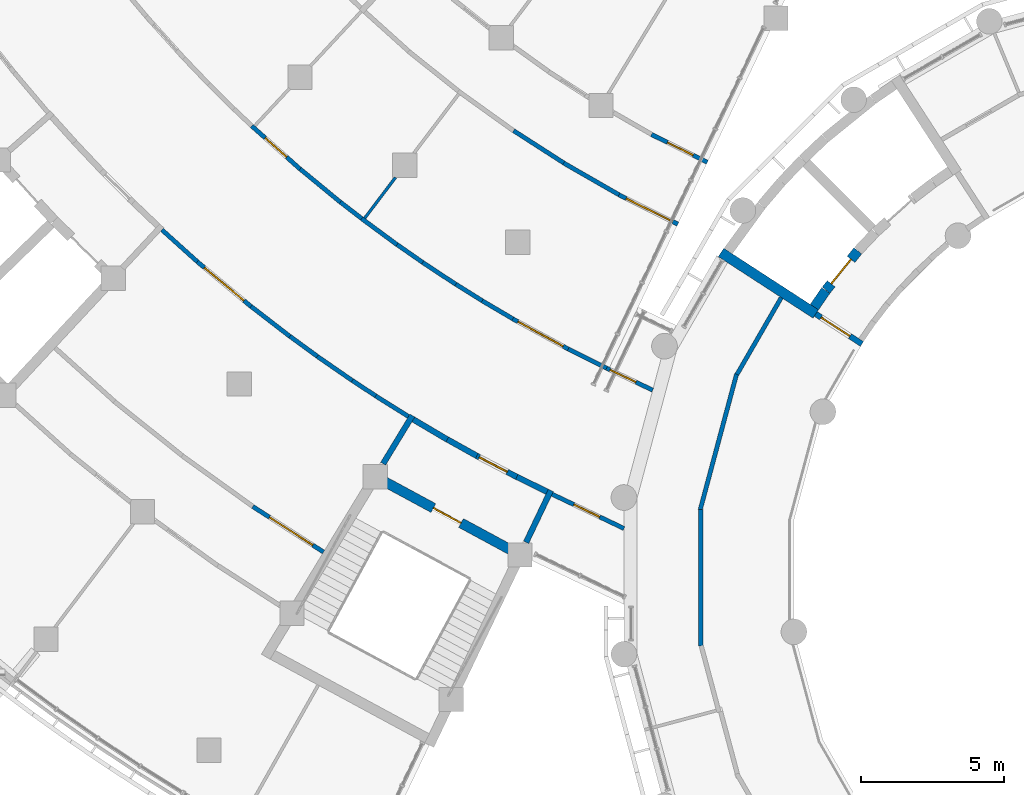
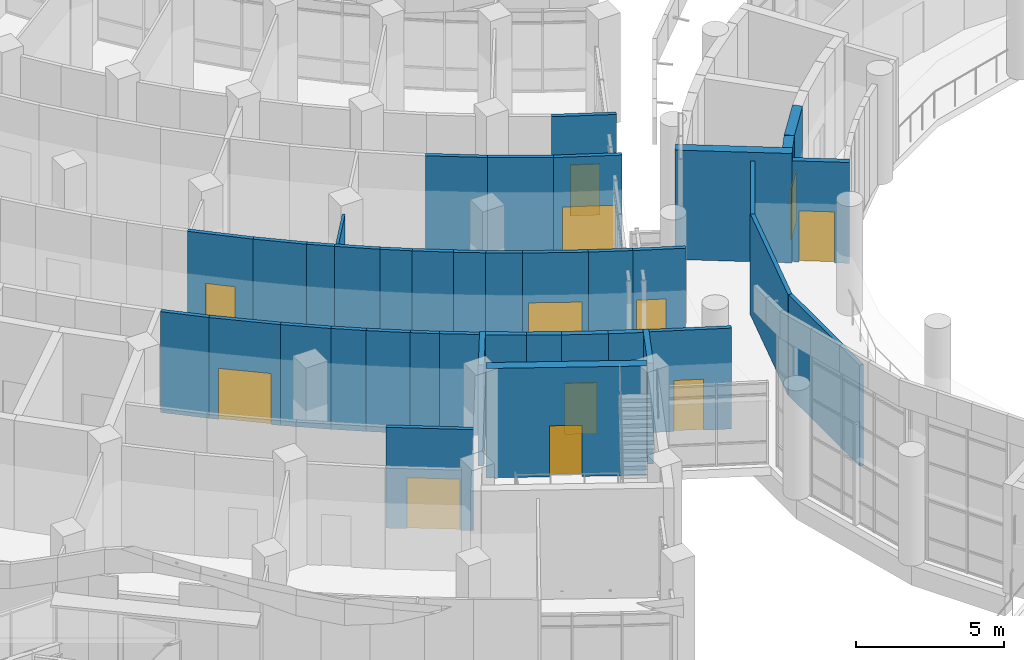
# One storey, part 62 of 136: 39 walls, 12 doors, 12 openings.
"""IFC4 building model written with IfcOpenShell, lengths in metres."""

from ifc_helpers import new_model, si_unit, direction, frame, frame_2d, origin, place, context, subcontext, project, spatial, rectangle, extrude, material, layer, layer_set, type_object, element, fill, save


model = new_model("IFC4")

# Units and contexts
model_context = context("Model", 3, precision=1e-05, world=origin(), true_north=direction((0.0, 1.0)))
body_context = subcontext(model_context, "Body", "Model", "MODEL_VIEW")
ifc_project = project(units=[si_unit("LENGTHUNIT", "METRE"), si_unit("AREAUNIT", "SQUARE_METRE"), si_unit("VOLUMEUNIT", "CUBIC_METRE"), si_unit("PLANEANGLEUNIT", "RADIAN"), si_unit("MASSUNIT", "GRAM", prefix="KILO")], contexts=[model_context])

# Site, building, storey
site_placement = place(None, origin())
site = spatial("IfcSite", under=ifc_project, at=site_placement, CompositionType="ELEMENT")
building_placement = place(site_placement, origin())
building = spatial("IfcBuilding", under=site, at=building_placement, Name="Bougainvillea Quay General Hospital", CompositionType="ELEMENT")
storey_placement = place(building_placement, frame((0.0, 0.0, 5.39990234375)))
storey = spatial("IfcBuildingStorey", under=building, at=storey_placement, Name="L01", CompositionType="ELEMENT", Elevation=5.39990234375)

# Walls
ifc_material_1 = material(Name="Gypsum board partition on steel studs", Category="steel")
ifc_layer_1 = layer(ifc_material_1, 0.10009765625)
ifc_layer_set_1 = layer_set([ifc_layer_1], Name="Gypsum board partition on steel studs")
wall_type_1 = type_object("IfcWallType", Name="Partition 100 Gypsum board partition EI 30", PredefinedType="PARTITIONING", material=ifc_layer_set_1)
wall_1_placement = place(storey_placement, frame((79.311767578125, 86.515380859375, 0.0), z_axis=(0.0, 0.0, 1.0), x_axis=(0.603588624137, 0.797295912954, 0.0)))
element("IfcWall", 1, at=wall_1_placement, inside=storey, type_object=wall_type_1, Name="Partition 100 mm EI 30", PredefinedType="PARTITIONING", context=body_context, shape_type="SweptSolid", body=[
    extrude(rectangle(XDim=1.7822265625, YDim=0.10009765625, at=frame_2d((0.89111328125, 0.0))), origin(), (0.0, 0.0, 1.0), 4.150146484375),
])
ifc_material_2 = material(Name="Gypsum board partition on steel studs, insulated", Category="steel")
ifc_layer_2 = layer(ifc_material_2, 0.14990234375)
ifc_layer_set_2 = layer_set([ifc_layer_2], Name="Gypsum board partition on steel studs, insulated")
wall_type_2 = type_object("IfcWallType", Name="Partition 150 Gypsum board partition EI 30", PredefinedType="PARTITIONING", material=ifc_layer_set_2)
wall_2_placement = place(storey_placement, frame((91.048583984375, 76.3125, 0.0), z_axis=(0.0, 0.0, 1.0), x_axis=(0.258927747961, 0.96589669289, 0.0)))
element("IfcWall", 2, at=wall_2_placement, inside=storey, type_object=wall_type_2, Name="Partition 150 mm EI 30", PredefinedType="PARTITIONING", context=body_context, shape_type="SweptSolid", body=[
    extrude(rectangle(XDim=4.923828125, YDim=0.14990234375, at=frame_2d((2.4619140625, 0.0))), origin(), (0.0, 0.0, 1.0), 4.150146484375),
])
wall_3_placement = place(storey_placement, frame((91.068115234375, 71.5400390625, 0.0), z_axis=(0.0, 0.0, 1.0), x_axis=(0.0, 1.0, 0.0)))
element("IfcWall", 3, at=wall_3_placement, inside=storey, type_object=wall_type_2, Name="Partition 150 mm EI 30", PredefinedType="PARTITIONING", context=body_context, shape_type="SweptSolid", body=[
    extrude(rectangle(XDim=4.787109375, YDim=0.14990234375, at=frame_2d((2.3935546875, 0.0))), origin(), (0.0, 0.0, 1.0), 4.150146484375),
])
wall_4_placement = place(storey_placement, frame((92.3330078125, 81.046142578125, 0.0), z_axis=(0.0, 0.0, 1.0), x_axis=(0.499677038336, 0.866211785512, 0.0)))
element("IfcWall", 4, at=wall_4_placement, inside=storey, type_object=wall_type_2, Name="Partition 150 mm EI 30", PredefinedType="PARTITIONING", context=body_context, shape_type="SweptSolid", body=[
    extrude(rectangle(XDim=3.1025390625, YDim=0.14990234375, at=frame_2d((1.55126953125, 0.0))), origin(), (0.0, 0.0, 1.0), 4.150146484375),
])

# Wall, opening, door
wall_5_placement = place(storey_placement, frame((75.39599609375, 76.426513671875, 0.0), z_axis=(0.0, 0.0, 1.0), x_axis=(0.840919451001, -0.541160306128, 0.0)))
wall_5 = element("IfcWall", 5, at=wall_5_placement, inside=storey, type_object=wall_type_2, Name="Partition 150 mm EI 30", PredefinedType="PARTITIONING", context=body_context, shape_type="SweptSolid", body=[
    extrude(rectangle(XDim=2.94091796875, YDim=0.14990234375, at=frame_2d((1.470458984375, 0.0))), origin(), (0.0, 0.0, 1.0), 4.150146484375),
])
opening_1_placement = place(wall_5_placement, frame((0.696533203125, 0.0, 0.0)))
opening_1 = element("IfcOpeningElement", 6, at=opening_1_placement, cuts=wall_5, Name="Opening L01.223", PredefinedType="OPENING", context=body_context, shape_type="SweptSolid", body=[
    extrude(rectangle(XDim=1.800048828125, YDim=2.10009765625, at=frame_2d((0.89990234375, 1.050048828125))), frame((0.0, 0.0849609375, 0.0), z_axis=(0.0, -1.0, 0.0), x_axis=(1.0, 0.0, 0.0)), (0.0, 0.0, 1.0), 0.169921875),
])
ifc_material_3 = material(Name="Solid-core timber door leaves in steel frame", Category="steel")
door_type_1 = type_object("IfcDoorType", Name="Double leaf door 1800x2100", OperationType="DOUBLE_DOOR_SINGLE_SWING", PredefinedType="DOOR", material=ifc_material_3)
door_1_placement = place(opening_1_placement, frame((1.800048828125, 0.0, 0.0), z_axis=(0.0, 0.0, 1.0), x_axis=(-1.0, 0.0, 0.0)))
door_1 = element("IfcDoor", 7, at=door_1_placement, inside=storey, type_object=door_type_1, Name="DT08 L01.223", OperationType="DOUBLE_DOOR_SINGLE_SWING", OverallHeight=2.10009765625, OverallWidth=1.800048828125, PredefinedType="DOOR", context=body_context, shape_type="SweptSolid", body=[
    extrude(rectangle(XDim=1.800048828125, YDim=2.10009765625, at=frame_2d((0.89990234375, 1.050048828125))), frame((0.0, 0.02490234375, 0.0), z_axis=(0.0, -1.0, 0.0), x_axis=(1.0, 0.0, 0.0)), (0.0, 0.0, 1.0), 0.050048828125),
])
fill(opening_1, door_1)

wall_6_placement = place(storey_placement, frame((85.87109375, 76.85546875, 0.0), z_axis=(0.0, 0.0, 1.0), x_axis=(0.902598955707, -0.43048243304, 0.0)))
wall_6 = element("IfcWall", 8, at=wall_6_placement, inside=storey, type_object=wall_type_2, Name="Partition 150 mm EI 30", PredefinedType="PARTITIONING", context=body_context, shape_type="SweptSolid", body=[
    extrude(rectangle(XDim=2.779541015625, YDim=0.14990234375, at=frame_2d((1.3896484375, 0.0))), origin(), (0.0, 0.0, 1.0), 4.150146484375),
])
opening_2_placement = place(wall_6_placement, frame((0.83935546875, 0.0, 0.0)))
opening_2 = element("IfcOpeningElement", 9, at=opening_2_placement, cuts=wall_6, Name="Opening L01.267", PredefinedType="OPENING", context=body_context, shape_type="SweptSolid", body=[
    extrude(rectangle(XDim=1.0, YDim=2.10009765625, at=frame_2d((0.5, 1.050048828125))), frame((0.0, 0.0849609375, 0.0), z_axis=(0.0, -1.0, 0.0), x_axis=(1.0, 0.0, 0.0)), (0.0, 0.0, 1.0), 0.169921875),
])
ifc_material_4 = material(Name="Solid-core timber door leaf in steel frame", Category="steel")
door_type_2 = type_object("IfcDoorType", Name="Single leaf door 1000x2100 FD30S", OperationType="NOTDEFINED", PredefinedType="DOOR", material=ifc_material_4)
door_2_placement = place(opening_2_placement, frame((1.0, 0.0, 0.0), z_axis=(0.0, 0.0, 1.0), x_axis=(-1.0, 0.0, 0.0)))
door_2 = element("IfcDoor", 10, at=door_2_placement, inside=storey, type_object=door_type_2, Name="DT15 L01.267", OperationType="SINGLE_SWING_RIGHT", OverallHeight=2.10009765625, OverallWidth=1.0, PredefinedType="DOOR", context=body_context, shape_type="SweptSolid", body=[
    extrude(rectangle(XDim=1.0, YDim=2.10009765625, at=frame_2d((0.5, 1.050048828125))), frame((0.0, 0.02490234375, 0.0), z_axis=(0.0, -1.0, 0.0), x_axis=(1.0, 0.0, 0.0)), (0.0, 0.0, 1.0), 0.050048828125),
])
fill(opening_2, door_2)

wall_7_placement = place(storey_placement, frame((73.452392578125, 84.991943359375, 0.0), z_axis=(0.0, 0.0, 1.0), x_axis=(0.768531506517, -0.639811943849, 0.0)))
wall_7 = element("IfcWall", 11, at=wall_7_placement, inside=storey, type_object=wall_type_2, Name="Partition 150 mm EI 30", PredefinedType="PARTITIONING", context=body_context, shape_type="SweptSolid", body=[
    extrude(rectangle(XDim=2.450439453125, YDim=0.14990234375, at=frame_2d((1.22509765625, 0.0))), origin(), (0.0, 0.0, 1.0), 4.150146484375),
])
opening_3_placement = place(wall_7_placement, frame((0.3251953125, 0.0, 0.0)))
opening_3 = element("IfcOpeningElement", 12, at=opening_3_placement, cuts=wall_7, Name="Opening L01.237", PredefinedType="OPENING", context=body_context, shape_type="SweptSolid", body=[
    extrude(rectangle(XDim=1.800048828125, YDim=2.10009765625, at=frame_2d((0.89990234375, 1.050048828125))), frame((0.0, 0.0849609375, 0.0), z_axis=(0.0, -1.0, 0.0), x_axis=(1.0, 0.0, 0.0)), (0.0, 0.0, 1.0), 0.169921875),
])
door_3_placement = place(opening_3_placement, origin())
door_3 = element("IfcDoor", 13, at=door_3_placement, inside=storey, type_object=door_type_1, Name="DT08 L01.237", OperationType="DOUBLE_DOOR_SINGLE_SWING", OverallHeight=2.10009765625, OverallWidth=1.800048828125, PredefinedType="DOOR", context=body_context, shape_type="SweptSolid", body=[
    extrude(rectangle(XDim=1.800048828125, YDim=2.10009765625, at=frame_2d((0.89990234375, 1.050048828125))), frame((0.0, 0.02490234375, 0.0), z_axis=(0.0, -1.0, 0.0), x_axis=(1.0, 0.0, 0.0)), (0.0, 0.0, 1.0), 0.050048828125),
])
fill(opening_3, door_3)

wall_8_placement = place(storey_placement, frame((88.200927734375, 87.331298828125, 0.0), z_axis=(0.0, 0.0, 1.0), x_axis=(0.895335597875, -0.445392149883, 0.0)))
wall_8 = element("IfcWall", 14, at=wall_8_placement, inside=storey, type_object=wall_type_2, Name="Partition 150 mm EI 30", PredefinedType="PARTITIONING", context=body_context, shape_type="SweptSolid", body=[
    extrude(rectangle(XDim=2.306640625, YDim=0.14990234375, at=frame_2d((1.1533203125, 0.0))), origin(), (0.0, 0.0, 1.0), 4.150146484375),
])
opening_4_placement = place(wall_8_placement, frame((0.290771484375, 0.0, 0.0)))
opening_4 = element("IfcOpeningElement", 15, at=opening_4_placement, cuts=wall_8, Name="Opening L01.226", PredefinedType="OPENING", context=body_context, shape_type="SweptSolid", body=[
    extrude(rectangle(XDim=1.800048828125, YDim=2.10009765625, at=frame_2d((0.89990234375, 1.050048828125))), frame((0.0, 0.0849609375, 0.0), z_axis=(0.0, -1.0, 0.0), x_axis=(1.0, 0.0, 0.0)), (0.0, 0.0, 1.0), 0.169921875),
])
door_4_placement = place(opening_4_placement, origin())
door_4 = element("IfcDoor", 16, at=door_4_placement, inside=storey, type_object=door_type_1, Name="DT08 L01.226", OperationType="DOUBLE_DOOR_SINGLE_SWING", OverallHeight=2.10009765625, OverallWidth=1.800048828125, PredefinedType="DOOR", context=body_context, shape_type="SweptSolid", body=[
    extrude(rectangle(XDim=1.800048828125, YDim=2.10009765625, at=frame_2d((0.89990234375, 1.050048828125))), frame((0.0, 0.02490234375, 0.0), z_axis=(0.0, -1.0, 0.0), x_axis=(1.0, 0.0, 0.0)), (0.0, 0.0, 1.0), 0.050048828125),
])
fill(opening_4, door_4)

# Walls
wall_9_placement = place(storey_placement, frame((86.26806640625, 88.4462890625, 0.0), z_axis=(0.0, 0.0, 1.0), x_axis=(0.867212921502, -0.497937494852, 0.0)))
element("IfcWall", 17, at=wall_9_placement, inside=storey, type_object=wall_type_2, Name="Partition 150 mm EI 30", PredefinedType="PARTITIONING", context=body_context, shape_type="SweptSolid", body=[
    extrude(rectangle(XDim=2.2353515625, YDim=0.14990234375, at=frame_2d((1.11767578125, 0.0))), origin(), (0.0, 0.0, 1.0), 4.150146484375),
])
wall_10_placement = place(storey_placement, frame((84.51708984375, 89.577392578125, 0.0), z_axis=(0.0, 0.0, 1.0), x_axis=(0.840935250807, -0.541135753717, 0.0)))
element("IfcWall", 18, at=wall_10_placement, inside=storey, type_object=wall_type_2, Name="Partition 150 mm EI 30", PredefinedType="PARTITIONING", context=body_context, shape_type="SweptSolid", body=[
    extrude(rectangle(XDim=2.087890625, YDim=0.14990234375, at=frame_2d((1.0439453125, 0.0))), origin(), (0.0, 0.0, 1.0), 4.150146484375),
])

# Wall, opening, door
wall_11_placement = place(storey_placement, frame((75.360107421875, 89.739990234375, 0.0), z_axis=(0.0, 0.0, 1.0), x_axis=(0.746361982095, -0.665540225443, 0.0)))
wall_11 = element("IfcWall", 19, at=wall_11_placement, inside=storey, type_object=wall_type_2, Name="Partition 150 mm EI 30", PredefinedType="PARTITIONING", context=body_context, shape_type="SweptSolid", body=[
    extrude(rectangle(XDim=2.265625, YDim=0.14990234375, at=frame_2d((1.1328125, 0.0))), origin(), (0.0, 0.0, 1.0), 4.150146484375),
])
opening_5_placement = place(wall_11_placement, frame((0.6328125, 0.0, 0.0)))
opening_5 = element("IfcOpeningElement", 20, at=opening_5_placement, cuts=wall_11, Name="Opening L01.256", PredefinedType="OPENING", context=body_context, shape_type="SweptSolid", body=[
    extrude(rectangle(XDim=1.0, YDim=2.10009765625, at=frame_2d((0.5, 1.050048828125))), frame((0.0, 0.0849609375, 0.0), z_axis=(0.0, -1.0, 0.0), x_axis=(1.0, 0.0, 0.0)), (0.0, 0.0, 1.0), 0.169921875),
])
door_5_placement = place(opening_5_placement, origin())
door_5 = element("IfcDoor", 21, at=door_5_placement, inside=storey, type_object=door_type_2, Name="DT15 L01.256", OperationType="SINGLE_SWING_LEFT", OverallHeight=2.10009765625, OverallWidth=1.0, PredefinedType="DOOR", context=body_context, shape_type="SweptSolid", body=[
    extrude(rectangle(XDim=1.0, YDim=2.10009765625, at=frame_2d((0.5, 1.050048828125))), frame((0.0, 0.02490234375, 0.0), z_axis=(0.0, -1.0, 0.0), x_axis=(1.0, 0.0, 0.0)), (0.0, 0.0, 1.0), 0.050048828125),
])
fill(opening_5, door_5)

wall_12_placement = place(storey_placement, frame((89.343017578125, 89.4423828125, 0.0), z_axis=(0.0, 0.0, 1.0), x_axis=(0.895274815557, -0.445514314731, 0.0)))
wall_12 = element("IfcWall", 22, at=wall_12_placement, inside=storey, type_object=wall_type_2, Name="Partition 150 mm EI 30", PredefinedType="PARTITIONING", context=body_context, shape_type="SweptSolid", body=[
    extrude(rectangle(XDim=2.184814453125, YDim=0.14990234375, at=frame_2d((1.09228515625, 0.0))), origin(), (0.0, 0.0, 1.0), 4.150146484375),
])
opening_6_placement = place(wall_12_placement, frame((0.6298828125, 0.0, 0.0)))
opening_6 = element("IfcOpeningElement", 23, at=opening_6_placement, cuts=wall_12, Name="Opening L01.257", PredefinedType="OPENING", context=body_context, shape_type="SweptSolid", body=[
    extrude(rectangle(XDim=1.0, YDim=2.10009765625, at=frame_2d((0.5, 1.050048828125))), frame((0.0, 0.0849609375, 0.0), z_axis=(0.0, -1.0, 0.0), x_axis=(1.0, 0.0, 0.0)), (0.0, 0.0, 1.0), 0.169921875),
])
door_6_placement = place(opening_6_placement, origin())
door_6 = element("IfcDoor", 24, at=door_6_placement, inside=storey, type_object=door_type_2, Name="DT15 L01.257", OperationType="SINGLE_SWING_RIGHT", OverallHeight=2.10009765625, OverallWidth=1.0, PredefinedType="DOOR", context=body_context, shape_type="SweptSolid", body=[
    extrude(rectangle(XDim=1.0, YDim=2.10009765625, at=frame_2d((0.5, 1.050048828125))), frame((0.0, 0.02490234375, 0.0), z_axis=(0.0, -1.0, 0.0), x_axis=(1.0, 0.0, 0.0)), (0.0, 0.0, 1.0), 0.050048828125),
])
fill(opening_6, door_6)

wall_13_placement = place(storey_placement, frame((84.489013671875, 82.992919921875, 0.0), z_axis=(0.0, 0.0, 1.0), x_axis=(0.878602388498, -0.47755402095, 0.0)))
wall_13 = element("IfcWall", 25, at=wall_13_placement, inside=storey, type_object=wall_type_2, Name="Partition 150 mm EI 30", PredefinedType="PARTITIONING", context=body_context, shape_type="SweptSolid", body=[
    extrude(rectangle(XDim=2.214599609375, YDim=0.14990234375, at=frame_2d((1.107421875, 0.0))), origin(), (0.0, 0.0, 1.0), 4.150146484375),
])
opening_7_placement = place(wall_13_placement, frame((0.207275390625, 0.0, 0.0)))
opening_7 = element("IfcOpeningElement", 26, at=opening_7_placement, cuts=wall_13, Name="Opening L01.240", PredefinedType="OPENING", context=body_context, shape_type="SweptSolid", body=[
    extrude(rectangle(XDim=1.800048828125, YDim=2.10009765625, at=frame_2d((0.89990234375, 1.050048828125))), frame((0.0, 0.0849609375, 0.0), z_axis=(0.0, -1.0, 0.0), x_axis=(1.0, 0.0, 0.0)), (0.0, 0.0, 1.0), 0.169921875),
])
door_7_placement = place(opening_7_placement, frame((1.800048828125, 0.0, 0.0), z_axis=(0.0, 0.0, 1.0), x_axis=(-1.0, 0.0, 0.0)))
door_7 = element("IfcDoor", 27, at=door_7_placement, inside=storey, type_object=door_type_1, Name="DT08 L01.240", OperationType="DOUBLE_DOOR_SINGLE_SWING", OverallHeight=2.10009765625, OverallWidth=1.800048828125, PredefinedType="DOOR", context=body_context, shape_type="SweptSolid", body=[
    extrude(rectangle(XDim=1.800048828125, YDim=2.10009765625, at=frame_2d((0.89990234375, 1.050048828125))), frame((0.0, 0.02490234375, 0.0), z_axis=(0.0, -1.0, 0.0), x_axis=(1.0, 0.0, 0.0)), (0.0, 0.0, 1.0), 0.050048828125),
])
fill(opening_7, door_7)

# Walls
wall_14_placement = place(storey_placement, frame((72.219970703125, 86.104736328125, 0.0), z_axis=(0.0, 0.0, 1.0), x_axis=(0.743337937966, -0.668916070954, 0.0)))
element("IfcWall", 28, at=wall_14_placement, inside=storey, type_object=wall_type_2, Name="Partition 150 mm EI 30", PredefinedType="PARTITIONING", context=body_context, shape_type="SweptSolid", body=[
    extrude(rectangle(XDim=1.663330078125, YDim=0.14990234375, at=frame_2d((0.83154296875, 0.0))), origin(), (0.0, 0.0, 1.0), 4.150146484375),
])
wall_15_placement = place(storey_placement, frame((77.05078125, 88.236083984375, 0.0), z_axis=(0.0, 0.0, 1.0), x_axis=(0.771517511576, -0.636208086502, 0.0)))
element("IfcWall", 29, at=wall_15_placement, inside=storey, type_object=wall_type_2, Name="Partition 150 mm EI 30", PredefinedType="PARTITIONING", context=body_context, shape_type="SweptSolid", body=[
    extrude(rectangle(XDim=1.827880859375, YDim=0.14990234375, at=frame_2d((0.9140625, 0.0))), origin(), (0.0, 0.0, 1.0), 4.150146484375),
])
wall_16_placement = place(storey_placement, frame((75.335205078125, 83.427734375, 0.0), z_axis=(0.0, 0.0, 1.0), x_axis=(0.791538398042, -0.611119435483, 0.0)))
element("IfcWall", 30, at=wall_16_placement, inside=storey, type_object=wall_type_2, Name="Partition 150 mm EI 30", PredefinedType="PARTITIONING", context=body_context, shape_type="SweptSolid", body=[
    extrude(rectangle(XDim=1.7158203125, YDim=0.14990234375, at=frame_2d((0.85791015625, 0.0))), origin(), (0.0, 0.0, 1.0), 4.150146484375),
])

# Wall, opening, door
wall_17_placement = place(storey_placement, frame((87.7783203125, 81.264404296875, 0.0), z_axis=(0.0, 0.0, 1.0), x_axis=(0.902574201286, -0.430534332166, 0.0)))
wall_17 = element("IfcWall", 31, at=wall_17_placement, inside=storey, type_object=wall_type_2, Name="Partition 150 mm EI 30", PredefinedType="PARTITIONING", context=body_context, shape_type="SweptSolid", body=[
    extrude(rectangle(XDim=1.7822265625, YDim=0.14990234375, at=frame_2d((0.89111328125, 0.0))), origin(), (0.0, 0.0, 1.0), 4.150146484375),
])
opening_8_placement = place(wall_17_placement, frame((0.128662109375, 0.0, 0.0)))
opening_8 = element("IfcOpeningElement", 32, at=opening_8_placement, cuts=wall_17, Name="Opening L01.268", PredefinedType="OPENING", context=body_context, shape_type="SweptSolid", body=[
    extrude(rectangle(XDim=1.0, YDim=2.10009765625, at=frame_2d((0.5, 1.050048828125))), frame((0.0, 0.0849609375, 0.0), z_axis=(0.0, -1.0, 0.0), x_axis=(1.0, 0.0, 0.0)), (0.0, 0.0, 1.0), 0.169921875),
])
door_8_placement = place(opening_8_placement, origin())
door_8 = element("IfcDoor", 33, at=door_8_placement, inside=storey, type_object=door_type_2, Name="DT15 L01.268", OperationType="SINGLE_SWING_LEFT", OverallHeight=2.10009765625, OverallWidth=1.0, PredefinedType="DOOR", context=body_context, shape_type="SweptSolid", body=[
    extrude(rectangle(XDim=1.0, YDim=2.10009765625, at=frame_2d((0.5, 1.050048828125))), frame((0.0, 0.02490234375, 0.0), z_axis=(0.0, -1.0, 0.0), x_axis=(1.0, 0.0, 0.0)), (0.0, 0.0, 1.0), 0.050048828125),
])
fill(opening_8, door_8)

# Walls
wall_18_placement = place(storey_placement, frame((86.433837890625, 81.9384765625, 0.0), z_axis=(0.0, 0.0, 1.0), x_axis=(0.894297168166, -0.447473546717, 0.0)))
element("IfcWall", 34, at=wall_18_placement, inside=storey, type_object=wall_type_2, Name="Partition 150 mm EI 30", PredefinedType="PARTITIONING", context=body_context, shape_type="SweptSolid", body=[
    extrude(rectangle(XDim=1.502685546875, YDim=0.14990234375, at=frame_2d((0.75146484375, 0.0))), origin(), (0.0, 0.0, 1.0), 4.150146484375),
])
wall_19_placement = place(storey_placement, frame((79.20556640625, 86.49951171875, 0.0), z_axis=(0.0, 0.0, 1.0), x_axis=(0.804960127747, -0.593328907721, 0.0)))
element("IfcWall", 35, at=wall_19_placement, inside=storey, type_object=wall_type_2, Name="Partition 150 mm EI 30", PredefinedType="PARTITIONING", context=body_context, shape_type="SweptSolid", body=[
    extrude(rectangle(XDim=1.538818359375, YDim=0.14990234375, at=frame_2d((0.76953125, 0.0))), origin(), (0.0, 0.0, 1.0), 4.150146484375),
])
wall_20_placement = place(storey_placement, frame((79.6953125, 80.294921875, 0.0), z_axis=(0.0, 0.0, 1.0), x_axis=(0.847541618724, -0.530728936964, 0.0)))
element("IfcWall", 36, at=wall_20_placement, inside=storey, type_object=wall_type_2, Name="Partition 150 mm EI 30", PredefinedType="PARTITIONING", context=body_context, shape_type="SweptSolid", body=[
    extrude(rectangle(XDim=1.3525390625, YDim=0.14990234375, at=frame_2d((0.67626953125, 0.0))), origin(), (0.0, 0.0, 1.0), 4.150146484375),
])
wall_21_placement = place(storey_placement, frame((77.6533203125, 81.6796875, 0.0), z_axis=(0.0, 0.0, 1.0), x_axis=(0.822646640465, -0.568552992194, 0.0)))
element("IfcWall", 37, at=wall_21_placement, inside=storey, type_object=wall_type_2, Name="Partition 150 mm EI 30", PredefinedType="PARTITIONING", context=body_context, shape_type="SweptSolid", body=[
    extrude(rectangle(XDim=1.48828125, YDim=0.14990234375, at=frame_2d((0.744140625, 0.0))), origin(), (0.0, 0.0, 1.0), 4.150146484375),
])
wall_22_placement = place(storey_placement, frame((76.693115234375, 82.382080078125, 0.0), z_axis=(0.0, 0.0, 1.0), x_axis=(0.808088805309, -0.589060678312, 0.0)))
element("IfcWall", 38, at=wall_22_placement, inside=storey, type_object=wall_type_2, Name="Partition 150 mm EI 30", PredefinedType="PARTITIONING", context=body_context, shape_type="SweptSolid", body=[
    extrude(rectangle(XDim=1.191650390625, YDim=0.14990234375, at=frame_2d((0.595703125, 0.0))), origin(), (0.0, 0.0, 1.0), 4.150146484375),
])
wall_23_placement = place(storey_placement, frame((81.33837890625, 84.96533203125, 0.0), z_axis=(0.0, 0.0, 1.0), x_axis=(0.834958204617, -0.550313362134, 0.0)))
element("IfcWall", 39, at=wall_23_placement, inside=storey, type_object=wall_type_2, Name="Partition 150 mm EI 30", PredefinedType="PARTITIONING", context=body_context, shape_type="SweptSolid", body=[
    extrude(rectangle(XDim=1.389404296875, YDim=0.14990234375, at=frame_2d((0.69482421875, 0.0))), origin(), (0.0, 0.0, 1.0), 4.150146484375),
])
wall_24_placement = place(storey_placement, frame((83.42236328125, 83.6240234375, 0.0), z_axis=(0.0, 0.0, 1.0), x_axis=(0.861696583626, -0.507423883718, 0.0)))
element("IfcWall", 40, at=wall_24_placement, inside=storey, type_object=wall_type_2, Name="Partition 150 mm EI 30", PredefinedType="PARTITIONING", context=body_context, shape_type="SweptSolid", body=[
    extrude(rectangle(XDim=1.24169921875, YDim=0.14990234375, at=frame_2d((0.620849609375, 0.0))), origin(), (0.0, 0.0, 1.0), 4.150146484375),
])
for number, where, z_axis, x_axis, name in (
    (41, (82.498046875, 84.203125, 0.0), (0.0, 0.0, 1.0), (0.848412292862, -0.529335981509, 0.0), "Partition 150 mm EI 30"),
    (42, (80.44384765625, 85.58935546875, 0.0), (0.0, 0.0, 1.0), (0.821096473197, -0.570789437274, 0.0), "Partition 150 mm EI 30"),
):
    element("IfcWall", number, at=place(storey_placement, frame(where, z_axis=z_axis, x_axis=x_axis)), inside=storey, type_object=wall_type_2, Name=name, PredefinedType="PARTITIONING", context=body_context, shape_type="SweptSolid", body=[
        extrude(rectangle(XDim=1.092529296875, YDim=0.14990234375, at=frame_2d((0.54638671875, 0.0))), origin(), (0.0, 0.0, 1.0), 4.150146484375),
    ])
wall_25_placement = place(storey_placement, frame((78.877197265625, 80.835693359375, 0.0), z_axis=(0.0, 0.0, 1.0), x_axis=(0.835209839134, -0.549931381733, 0.0)))
element("IfcWall", 43, at=wall_25_placement, inside=storey, type_object=wall_type_2, Name="Partition 150 mm EI 30", PredefinedType="PARTITIONING", context=body_context, shape_type="SweptSolid", body=[
    extrude(rectangle(XDim=0.982421875, YDim=0.14990234375, at=frame_2d((0.4912109375, 0.0))), origin(), (0.0, 0.0, 1.0), 4.150146484375),
])
wall_26_placement = place(storey_placement, frame((78.46044921875, 87.07666015625, 0.0), z_axis=(0.0, 0.0, 1.0), x_axis=(0.791671493317, -0.610947008069, 0.0)))
element("IfcWall", 44, at=wall_26_placement, inside=storey, type_object=wall_type_2, Name="Partition 150 mm EI 30", PredefinedType="PARTITIONING", context=body_context, shape_type="SweptSolid", body=[
    extrude(rectangle(XDim=0.9443359375, YDim=0.14990234375, at=frame_2d((0.47216796875, 0.0))), origin(), (0.0, 0.0, 1.0), 4.150146484375),
])
ifc_material_5 = material(Name="Fire-rated autoclaved aerated block wall, plastered")
ifc_layer_3 = layer(ifc_material_5, 0.199951171875)
ifc_layer_set_3 = layer_set([ifc_layer_3], Name="Fire-rated autoclaved aerated block wall, plastered")
wall_type_3 = type_object("IfcWallType", Name="Partition 200 Fire-rated autoclaved aerated block wall EI 120", PredefinedType="SOLIDWALL", material=ifc_layer_set_3)
wall_27_placement = place(storey_placement, frame((84.9580078125, 75.17529296875, 0.0), z_axis=(0.0, 0.0, 1.0), x_axis=(0.430419231225, 0.902629096247, 0.0)))
element("IfcWall", 45, at=wall_27_placement, inside=storey, type_object=wall_type_3, Name="Partition 200 mm EI 120", PredefinedType="SOLIDWALL", context=body_context, shape_type="SweptSolid", body=[
    extrude(rectangle(XDim=2.009765625, YDim=0.199951171875, at=frame_2d((1.0048828125, 0.0))), origin(), (0.0, 0.0, 1.0), 4.150146484375),
])
wall_28_placement = place(storey_placement, frame((79.955322265625, 77.923828125, 0.0), z_axis=(0.0, 0.0, 1.0), x_axis=(0.519675881268, 0.85436349315, 0.0)))
element("IfcWall", 46, at=wall_28_placement, inside=storey, type_object=wall_type_3, Name="Partition 200 mm EI 120", PredefinedType="SOLIDWALL", context=body_context, shape_type="SweptSolid", body=[
    extrude(rectangle(XDim=1.9716796875, YDim=0.199951171875, at=frame_2d((0.98583984375, 0.0))), origin(), (0.0, 0.0, 1.0), 4.150146484375),
])

# Wall, opening, door
wall_29_placement = place(storey_placement, frame((95.08984375, 83.163818359375, 0.0), z_axis=(0.0, 0.0, 1.0), x_axis=(0.838626157518, -0.544707414973, 0.0)))
wall_29 = element("IfcWall", 47, at=wall_29_placement, inside=storey, type_object=wall_type_3, Name="Partition 200 mm EI 120", PredefinedType="SOLIDWALL", context=body_context, shape_type="SweptSolid", body=[
    extrude(rectangle(XDim=1.924560546875, YDim=0.199951171875, at=frame_2d((0.96240234375, 0.0))), origin(), (0.0, 0.0, 1.0), 4.150146484375),
])
opening_9_placement = place(wall_29_placement, frame((0.224853515625, 0.0, 0.0)))
opening_9 = element("IfcOpeningElement", 48, at=opening_9_placement, cuts=wall_29, Name="Opening L01.249", PredefinedType="OPENING", context=body_context, shape_type="SweptSolid", body=[
    extrude(rectangle(XDim=1.199951171875, YDim=2.10009765625, at=frame_2d((0.60009765625, 1.050048828125))), frame((0.0, 0.10986328125, 0.0), z_axis=(0.0, -1.0, 0.0), x_axis=(1.0, 0.0, 0.0)), (0.0, 0.0, 1.0), 0.219970703125),
])
door_type_3 = type_object("IfcDoorType", Name="Single leaf door 1200x2100 FD60", OperationType="NOTDEFINED", PredefinedType="DOOR", material=ifc_material_4)
door_9_placement = place(opening_9_placement, origin())
door_9 = element("IfcDoor", 49, at=door_9_placement, inside=storey, type_object=door_type_3, Name="DT12 L01.249", OperationType="SINGLE_SWING_LEFT", OverallHeight=2.10009765625, OverallWidth=1.199951171875, PredefinedType="DOOR", context=body_context, shape_type="SweptSolid", body=[
    extrude(rectangle(XDim=1.199951171875, YDim=2.10009765625, at=frame_2d((0.60009765625, 1.050048828125))), frame((0.0, 0.02490234375, 0.0), z_axis=(0.0, -1.0, 0.0), x_axis=(1.0, 0.0, 0.0)), (0.0, 0.0, 1.0), 0.050048828125),
])
fill(opening_9, door_9)

wall_30_placement = place(storey_placement, frame((83.232421875, 78.196533203125, 0.0), z_axis=(0.0, 0.0, 1.0), x_axis=(0.885510751813, -0.464618885134, 0.0)))
wall_30 = element("IfcWall", 50, at=wall_30_placement, inside=storey, type_object=wall_type_3, Name="Partition 200 mm EI 120", PredefinedType="SOLIDWALL", context=body_context, shape_type="SweptSolid", body=[
    extrude(rectangle(XDim=1.580078125, YDim=0.199951171875, at=frame_2d((0.7900390625, 0.0))), origin(), (0.0, 0.0, 1.0), 4.150146484375),
])
opening_10_placement = place(wall_30_placement, frame((0.10009765625, 0.0, 0.0)))
opening_10 = element("IfcOpeningElement", 51, at=opening_10_placement, cuts=wall_30, Name="Opening L01.314", PredefinedType="OPENING", context=body_context, shape_type="SweptSolid", body=[
    extrude(rectangle(XDim=1.10009765625, YDim=2.10009765625, at=frame_2d((0.550048828125, 1.050048828125))), frame((0.0, 0.10986328125, 0.0), z_axis=(0.0, -1.0, 0.0), x_axis=(1.0, 0.0, 0.0)), (0.0, 0.0, 1.0), 0.219970703125),
])
ifc_material_6 = material(Name="Steel fire door leaf in steel frame", Category="steel")
door_type_4 = type_object("IfcDoorType", Name="Steel single leaf door 1100x2100 FD60", OperationType="NOTDEFINED", PredefinedType="DOOR", material=ifc_material_6)
door_10_placement = place(opening_10_placement, frame((1.10009765625, 0.0, 0.0), z_axis=(0.0, 0.0, 1.0), x_axis=(-1.0, 0.0, 0.0)))
door_10 = element("IfcDoor", 52, at=door_10_placement, inside=storey, type_object=door_type_4, Name="DT04 L01.314", OperationType="SINGLE_SWING_RIGHT", OverallHeight=2.10009765625, OverallWidth=1.10009765625, PredefinedType="DOOR", context=body_context, shape_type="SweptSolid", body=[
    extrude(rectangle(XDim=1.10009765625, YDim=2.10009765625, at=frame_2d((0.550048828125, 1.050048828125))), frame((0.0, 0.02490234375, 0.0), z_axis=(0.0, -1.0, 0.0), x_axis=(1.0, 0.0, 0.0)), (0.0, 0.0, 1.0), 0.050048828125),
])
fill(opening_10, door_10)

# Walls
wall_31_placement = place(storey_placement, frame((81.01513671875, 79.471435546875, 0.0), z_axis=(0.0, 0.0, 1.0), x_axis=(0.860926528214, -0.508729312127, 0.0)))
element("IfcWall", 53, at=wall_31_placement, inside=storey, type_object=wall_type_3, Name="Partition 200 mm EI 120", PredefinedType="SOLIDWALL", context=body_context, shape_type="SweptSolid", body=[
    extrude(rectangle(XDim=1.378662109375, YDim=0.199951171875, at=frame_2d((0.689453125, 0.0))), origin(), (0.0, 0.0, 1.0), 4.150146484375),
])
wall_32_placement = place(storey_placement, frame((84.630615234375, 77.4658203125, 0.0), z_axis=(0.0, 0.0, 1.0), x_axis=(0.896895597342, -0.442242340203, 0.0)))
element("IfcWall", 54, at=wall_32_placement, inside=storey, type_object=wall_type_3, Name="Partition 200 mm EI 120", PredefinedType="SOLIDWALL", context=body_context, shape_type="SweptSolid", body=[
    extrude(rectangle(XDim=1.18017578125, YDim=0.199951171875, at=frame_2d((0.590087890625, 0.0))), origin(), (0.0, 0.0, 1.0), 4.150146484375),
])
wall_33_placement = place(storey_placement, frame((82.201171875, 78.773681640625, 0.0), z_axis=(0.0, 0.0, 1.0), x_axis=(0.873621822139, -0.486605499232, 0.0)))
element("IfcWall", 55, at=wall_33_placement, inside=storey, type_object=wall_type_3, Name="Partition 200 mm EI 120", PredefinedType="SOLIDWALL", context=body_context, shape_type="SweptSolid", body=[
    extrude(rectangle(XDim=1.18408203125, YDim=0.199951171875, at=frame_2d((0.592041015625, 0.0))), origin(), (0.0, 0.0, 1.0), 4.150146484375),
])

# Wall, opening, door
ifc_material_7 = material(Name="Concrete C40", Category="concrete")
ifc_layer_4 = layer(ifc_material_7, 0.35009765625)
ifc_layer_set_4 = layer_set([ifc_layer_4], Name="Concrete C40")
wall_type_4 = type_object("IfcWallType", Name="RC SHEAR WALL 350 C40", PredefinedType="SHEAR", material=ifc_layer_set_4)
wall_34_placement = place(storey_placement, frame((84.593017578125, 74.816162109375, 0.0), z_axis=(0.0, 0.0, 1.0), x_axis=(-0.879585553739, 0.475740742058, 0.0)))
wall_34 = element("IfcWall", 56, at=wall_34_placement, inside=storey, type_object=wall_type_4, Name="Shear wall L01", PredefinedType="SHEAR", context=body_context, shape_type="SweptSolid", body=[
    extrude(rectangle(XDim=5.409423828125, YDim=0.35009765625, at=frame_2d((2.70458984375, 0.0))), origin(), (0.0, 0.0, 1.0), 4.5),
])
opening_11_placement = place(wall_34_placement, frame((2.173828125, 0.0, 0.0)))
opening_11 = element("IfcOpeningElement", 57, at=opening_11_placement, cuts=wall_34, Name="Opening L01.313", PredefinedType="OPENING", context=body_context, shape_type="SweptSolid", body=[
    extrude(rectangle(XDim=1.10009765625, YDim=2.10009765625, at=frame_2d((0.550048828125, 1.050048828125))), frame((0.0, 0.18505859375, 0.0), z_axis=(0.0, -1.0, 0.0), x_axis=(1.0, 0.0, 0.0)), (0.0, 0.0, 1.0), 0.3701171875),
])
door_11_placement = place(opening_11_placement, origin())
door_11 = element("IfcDoor", 58, at=door_11_placement, inside=storey, type_object=door_type_4, Name="DT04 L01.313", OperationType="SINGLE_SWING_RIGHT", OverallHeight=2.10009765625, OverallWidth=1.10009765625, PredefinedType="DOOR", context=body_context, shape_type="SweptSolid", body=[
    extrude(rectangle(XDim=1.10009765625, YDim=2.10009765625, at=frame_2d((0.550048828125, 1.050048828125))), frame((0.0, 0.02490234375, 0.0), z_axis=(0.0, -1.0, 0.0), x_axis=(1.0, 0.0, 0.0)), (0.0, 0.0, 1.0), 0.050048828125),
])
fill(opening_11, door_11)

# Walls
wall_35_placement = place(storey_placement, frame((91.776123046875, 85.315185546875, 0.0), z_axis=(0.0, 0.0, 1.0), x_axis=(0.838710342359, -0.544577782893, 0.0)))
element("IfcWall", 59, at=wall_35_placement, inside=storey, type_object=wall_type_4, Name="Shear wall L01", PredefinedType="SHEAR", context=body_context, shape_type="SweptSolid", body=[
    extrude(rectangle(XDim=3.950927734375, YDim=0.35009765625, at=frame_2d((1.9755859375, 0.0))), origin(), (0.0, 0.0, 1.0), 4.5),
])
wall_36_placement = place(storey_placement, frame((95.042236328125, 83.4033203125, 0.0), z_axis=(0.0, 0.0, 1.0), x_axis=(0.566587399165, 0.824001649942, 0.0)))
element("IfcWall", 60, at=wall_36_placement, inside=storey, type_object=wall_type_4, Name="Shear wall L01", PredefinedType="SHEAR", context=body_context, shape_type="SweptSolid", body=[
    extrude(rectangle(XDim=0.70751953125, YDim=0.35009765625, at=frame_2d((0.353759765625, 0.0))), origin(), (0.0, 0.0, 1.0), 4.5),
])

# Wall, opening, door
wall_37_placement = place(storey_placement, frame((95.451416015625, 83.997314453125, 0.0), z_axis=(0.0, 0.0, 1.0), x_axis=(0.629337420675, 0.777132170829, 0.0)))
wall_37 = element("IfcWall", 61, at=wall_37_placement, inside=storey, type_object=wall_type_4, Name="Shear wall L01", PredefinedType="SHEAR", context=body_context, shape_type="SweptSolid", body=[
    extrude(rectangle(XDim=1.765869140625, YDim=0.35009765625, at=frame_2d((0.8828125, 0.0))), origin(), (0.0, 0.0, 1.0), 4.5),
])
opening_12_placement = place(wall_37_placement, frame((0.28564453125, 0.0, 0.0)))
opening_12 = element("IfcOpeningElement", 62, at=opening_12_placement, cuts=wall_37, Name="Opening LD-H1.2-L01", PredefinedType="OPENING", context=body_context, shape_type="SweptSolid", body=[
    extrude(rectangle(XDim=1.10009765625, YDim=2.10009765625, at=frame_2d((0.550048828125, 1.050048828125))), frame((0.0, 0.18505859375, 0.0), z_axis=(0.0, -1.0, 0.0), x_axis=(1.0, 0.0, 0.0)), (0.0, 0.0, 1.0), 0.3701171875),
])
ifc_material_8 = material(Name="Stainless steel centre-opening landing door", Category="steel")
door_type_5 = type_object("IfcDoorType", Name="Lift landing door 1100x2100 E 120", OperationType="DOUBLE_DOOR_SLIDING", PredefinedType="DOOR", material=ifc_material_8)
door_12_placement = place(opening_12_placement, origin())
door_12 = element("IfcDoor", 63, at=door_12_placement, inside=storey, type_object=door_type_5, Name="Lift landing door LB-H1-2 L01", OperationType="DOUBLE_DOOR_SLIDING", OverallHeight=2.10009765625, OverallWidth=1.10009765625, PredefinedType="DOOR", context=body_context, shape_type="SweptSolid", body=[
    extrude(rectangle(XDim=1.10009765625, YDim=2.10009765625, at=frame_2d((0.550048828125, 1.050048828125))), frame((0.0, 0.02490234375, 0.0), z_axis=(0.0, -1.0, 0.0), x_axis=(1.0, 0.0, 0.0)), (0.0, 0.0, 1.0), 0.050048828125),
])
fill(opening_12, door_12)

save(model, "model.ifc")
